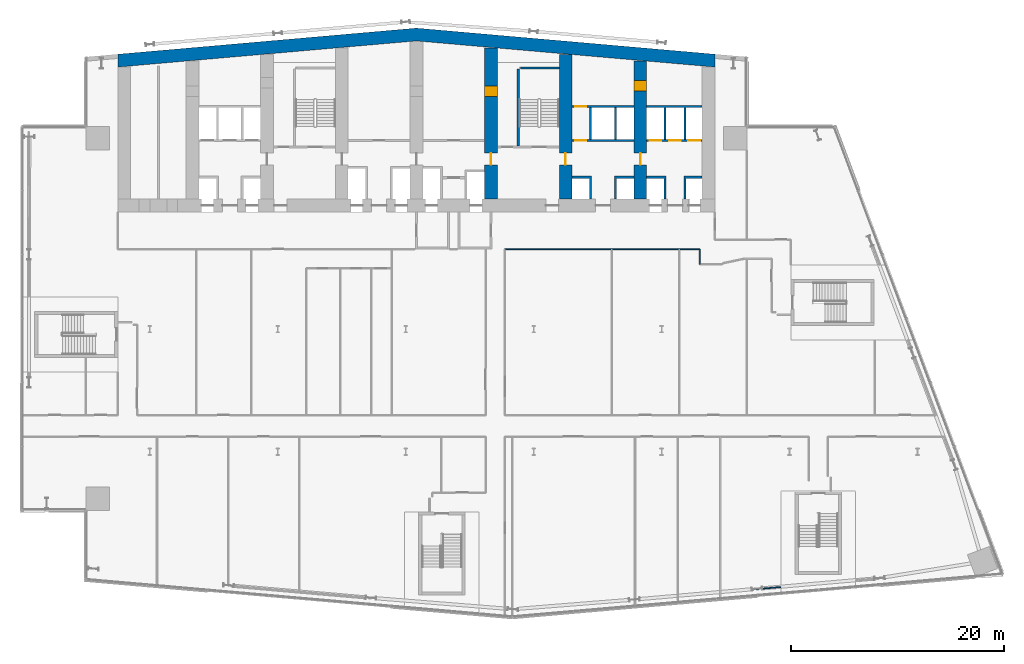
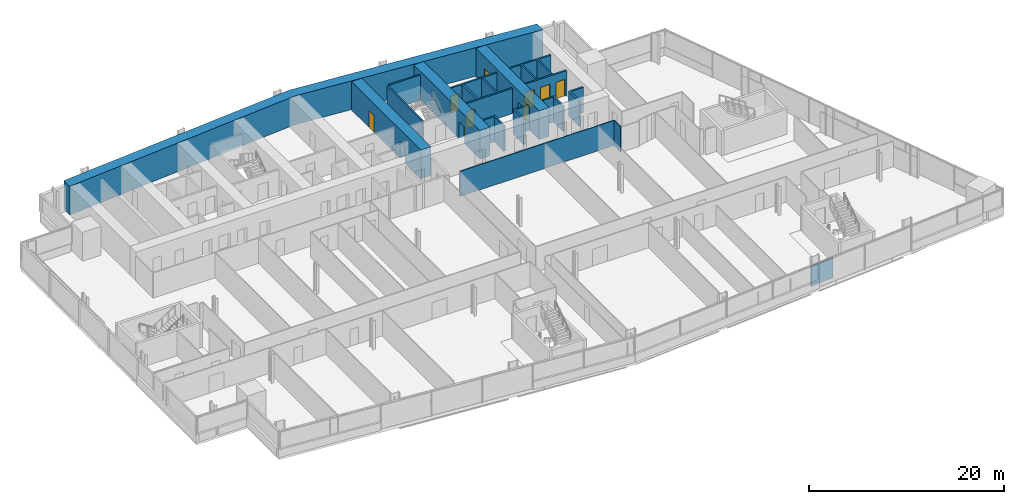
# One storey, part 17 of 24: 19 walls, 10 doors, 10 openings.
"""IFC4 building model written with IfcOpenShell, lengths in metres."""

from ifc_helpers import new_model, si_unit, direction, frame, frame_2d, origin, place, context, subcontext, project, spatial, polyline, rectangle, outline, extrude, material, layer, layer_set, type_object, element, fill, save


model = new_model("IFC4")

# Units and contexts
model_context = context("Model", 3, precision=1e-05, world=origin(), true_north=direction((0.0, 1.0)))
body_context = subcontext(model_context, "Body", "Model", "MODEL_VIEW")
ifc_project = project(units=[si_unit("LENGTHUNIT", "METRE"), si_unit("AREAUNIT", "SQUARE_METRE"), si_unit("VOLUMEUNIT", "CUBIC_METRE"), si_unit("PLANEANGLEUNIT", "RADIAN"), si_unit("MASSUNIT", "GRAM", prefix="KILO")], contexts=[model_context])

# Site, building, storey
site_placement = place(None, origin())
site = spatial("IfcSite", under=ifc_project, at=site_placement, CompositionType="ELEMENT")
building_placement = place(site_placement, origin())
building = spatial("IfcBuilding", under=site, at=building_placement, Name="Wharfspan Tower", CompositionType="ELEMENT")
storey_placement = place(building_placement, frame((0.0, 0.0, 88.300049)))
storey = spatial("IfcBuildingStorey", under=building, at=storey_placement, Name="L19", CompositionType="ELEMENT", Elevation=88.300049)

# Walls
ifc_material_1 = material(Name="Gypsum board on steel studs", Category="steel")
ifc_layer_1 = layer(ifc_material_1, 0.100098)
ifc_layer_set_1 = layer_set([ifc_layer_1], Name="Gypsum board on steel studs")
wall_type_1 = type_object("IfcWallType", Name="Compartment wall 100 EI 60", PredefinedType="PARTITIONING", material=ifc_layer_set_1)
wall_1_placement = place(storey_placement, frame((45.300049, 30.5, 0.0), z_axis=(0.0, 0.0, 1.0), x_axis=(1.0, 0.0, 0.0)))
element("IfcWall", 1, at=wall_1_placement, inside=storey, type_object=wall_type_1, Name="Partition L19.w035", PredefinedType="PARTITIONING", context=body_context, shape_type="SweptSolid", body=[
    extrude(rectangle(XDim=18.274902, YDim=0.100098, at=frame_2d((9.137451, 0.0))), origin(), (0.0, 0.0, 1.0), 3.149902),
])
wall_2_placement = place(storey_placement, frame((63.574951, 29.074951, 0.0), z_axis=(0.0, 0.0, 1.0), x_axis=(0.0, 1.0, 0.0)))
element("IfcWall", 2, at=wall_2_placement, inside=storey, type_object=wall_type_1, Name="Partition L19.w041", PredefinedType="PARTITIONING", context=body_context, shape_type="SweptSolid", body=[
    extrude(rectangle(XDim=1.425049, YDim=0.100098, at=frame_2d((0.712402, 0.0))), origin(), (0.0, 0.0, 1.0), 3.149902),
])
ifc_material_2 = material(Name="Concrete C70/85", Category="concrete")
ifc_layer_2 = layer(ifc_material_2, 1.199951)
ifc_layer_set_2 = layer_set([ifc_layer_2], Name="Concrete C70/85")
wall_type_2 = type_object("IfcWallType", Name="Core wall 1200 C70/85", PredefinedType="SHEAR", material=ifc_layer_set_2)
wall_3_placement = place(storey_placement, frame((0.0, 0.0, -0.000244)))
element("IfcWall", 3, at=wall_3_placement, inside=storey, type_object=wall_type_2, Name="Core rear wall L19", PredefinedType="SHEAR", context=body_context, shape_type="SweptSolid", body=[
    extrude(outline(polyline([(9.0, 47.582764), (37.0, 50.032471), (65.0, 47.582764), (65.0, 48.787354), (37.0, 51.237061), (9.0, 48.787354), (9.0, 47.582764)])), origin(), (0.0, 0.0, 1.0), 3.600098),
])

# Wall, openings, doors
wall_4_placement = place(storey_placement, frame((44.0, 35.199951, 0.0), z_axis=(0.0, 0.0, 1.0), x_axis=(0.0, 1.0, 0.0)))
wall_4 = element("IfcWall", 4, at=wall_4_placement, inside=storey, type_object=wall_type_2, Name="Core cross wall X5 L19", PredefinedType="SHEAR", context=body_context, shape_type="SweptSolid", body=[
    extrude(rectangle(XDim=14.167725, YDim=1.199951, at=frame_2d((7.083984, 0.0))), origin(), (0.0, 0.0, 1.0), 3.599854),
])
opening_1_placement = place(wall_4_placement, frame((3.199951, 0.0, 0.0)))
opening_1 = element("IfcOpeningElement", 5, at=opening_1_placement, cuts=wall_4, Name="Opening CC19.5", PredefinedType="OPENING", context=body_context, shape_type="SweptSolid", body=[
    extrude(rectangle(XDim=1.100098, YDim=2.100098, at=frame_2d((0.550049, 1.050049))), frame((0.0, 0.609863, 0.0), z_axis=(0.0, -1.0, 0.0), x_axis=(1.0, 0.0, 0.0)), (0.0, 0.0, 1.0), 1.219971),
])
opening_2_placement = place(wall_4_placement, frame((9.600098, 0.0, 0.0)))
opening_2 = element("IfcOpeningElement", 6, at=opening_2_placement, cuts=wall_4, Name="Opening CR19.5", PredefinedType="OPENING", context=body_context, shape_type="SweptSolid", body=[
    extrude(rectangle(XDim=1.0, YDim=2.100098, at=frame_2d((0.5, 1.050049))), frame((0.0, 0.609863, 0.0), z_axis=(0.0, -1.0, 0.0), x_axis=(1.0, 0.0, 0.0)), (0.0, 0.0, 1.0), 1.219971),
])
ifc_material_3 = material(Name="Steel door leaf", Category="steel")
door_type_1 = type_object("IfcDoorType", Name="Core corridor door 1100x2100", OperationType="SINGLE_SWING_LEFT", PredefinedType="DOOR", material=ifc_material_3)
door_1_placement = place(opening_1_placement, origin())
door_1 = element("IfcDoor", 7, at=door_1_placement, inside=storey, type_object=door_type_1, Name="xd:L19:5", OperationType="SINGLE_SWING_LEFT", OverallHeight=2.100098, OverallWidth=1.100098, PredefinedType="DOOR", context=body_context, shape_type="SweptSolid", body=[
    extrude(rectangle(XDim=1.100098, YDim=2.100098, at=frame_2d((0.550049, 1.050049))), frame((0.0, 0.024902, 0.0), z_axis=(0.0, -1.0, 0.0), x_axis=(1.0, 0.0, 0.0)), (0.0, 0.0, 1.0), 0.050049),
])
fill(opening_1, door_1)
door_type_2 = type_object("IfcDoorType", Name="Core room door 1000x2100", OperationType="SINGLE_SWING_LEFT", PredefinedType="DOOR", material=ifc_material_3)
door_2_placement = place(opening_2_placement, origin())
door_2 = element("IfcDoor", 8, at=door_2_placement, inside=storey, type_object=door_type_2, Name="xr:L19:5", OperationType="SINGLE_SWING_RIGHT", OverallHeight=2.100098, OverallWidth=1.0, PredefinedType="DOOR", context=body_context, shape_type="SweptSolid", body=[
    extrude(rectangle(XDim=1.0, YDim=2.100098, at=frame_2d((0.5, 1.050049))), frame((0.0, 0.599609, 0.0), z_axis=(0.0, -1.0, 0.0), x_axis=(1.0, 0.0, 0.0)), (0.0, 0.0, 1.0), 1.199463),
])
fill(opening_2, door_2)

# Wall, opening, door
wall_5_placement = place(storey_placement, frame((51.0, 35.199951, 0.0), z_axis=(0.0, 0.0, 1.0), x_axis=(0.0, 1.0, 0.0)))
wall_5 = element("IfcWall", 9, at=wall_5_placement, inside=storey, type_object=wall_type_2, Name="Core cross wall X6 L19", PredefinedType="SHEAR", context=body_context, shape_type="SweptSolid", body=[
    extrude(rectangle(XDim=13.555176, YDim=1.199951, at=frame_2d((6.777588, 0.0))), origin(), (0.0, 0.0, 1.0), 3.599854),
])
opening_3_placement = place(wall_5_placement, frame((3.199951, 0.0, 0.0)))
opening_3 = element("IfcOpeningElement", 10, at=opening_3_placement, cuts=wall_5, Name="Opening CC19.6", PredefinedType="OPENING", context=body_context, shape_type="SweptSolid", body=[
    extrude(rectangle(XDim=1.100098, YDim=2.100098, at=frame_2d((0.550049, 1.050049))), frame((0.0, 0.609863, 0.0), z_axis=(0.0, -1.0, 0.0), x_axis=(1.0, 0.0, 0.0)), (0.0, 0.0, 1.0), 1.219971),
])
door_3_placement = place(opening_3_placement, origin())
door_3 = element("IfcDoor", 11, at=door_3_placement, inside=storey, type_object=door_type_1, Name="xd:L19:6", OperationType="SINGLE_SWING_RIGHT", OverallHeight=2.100098, OverallWidth=1.100098, PredefinedType="DOOR", context=body_context, shape_type="SweptSolid", body=[
    extrude(rectangle(XDim=1.100098, YDim=2.100098, at=frame_2d((0.550049, 1.050049))), frame((0.0, 0.024902, 0.0), z_axis=(0.0, -1.0, 0.0), x_axis=(1.0, 0.0, 0.0)), (0.0, 0.0, 1.0), 0.050049),
])
fill(opening_3, door_3)

# Wall, openings, doors
wall_6_placement = place(storey_placement, frame((58.0, 35.199951, 0.0), z_axis=(0.0, 0.0, 1.0), x_axis=(0.0, 1.0, 0.0)))
wall_6 = element("IfcWall", 12, at=wall_6_placement, inside=storey, type_object=wall_type_2, Name="Core cross wall X7 L19", PredefinedType="SHEAR", context=body_context, shape_type="SweptSolid", body=[
    extrude(rectangle(XDim=12.942871, YDim=1.199951, at=frame_2d((6.471436, 0.0))), origin(), (0.0, 0.0, 1.0), 3.599854),
])
opening_4_placement = place(wall_6_placement, frame((10.133789, 0.0, 0.0)))
opening_4 = element("IfcOpeningElement", 13, at=opening_4_placement, cuts=wall_6, Name="Opening CD19.7X", PredefinedType="OPENING", context=body_context, shape_type="SweptSolid", body=[
    extrude(rectangle(XDim=1.0, YDim=2.100098, at=frame_2d((0.5, 1.050049))), frame((0.0, 0.609863, 0.0), z_axis=(0.0, -1.0, 0.0), x_axis=(1.0, 0.0, 0.0)), (0.0, 0.0, 1.0), 1.219971),
])
opening_5_placement = place(wall_6_placement, frame((3.199951, 0.0, 0.0)))
opening_5 = element("IfcOpeningElement", 14, at=opening_5_placement, cuts=wall_6, Name="Opening CC19.7", PredefinedType="OPENING", context=body_context, shape_type="SweptSolid", body=[
    extrude(rectangle(XDim=1.100098, YDim=2.100098, at=frame_2d((0.550049, 1.050049))), frame((0.0, 0.609863, 0.0), z_axis=(0.0, -1.0, 0.0), x_axis=(1.0, 0.0, 0.0)), (0.0, 0.0, 1.0), 1.219971),
])
door_4_placement = place(opening_5_placement, origin())
door_4 = element("IfcDoor", 15, at=door_4_placement, inside=storey, type_object=door_type_1, Name="xd:L19:7", OperationType="SINGLE_SWING_LEFT", OverallHeight=2.100098, OverallWidth=1.100098, PredefinedType="DOOR", context=body_context, shape_type="SweptSolid", body=[
    extrude(rectangle(XDim=1.100098, YDim=2.100098, at=frame_2d((0.550049, 1.050049))), frame((0.0, 0.024902, 0.0), z_axis=(0.0, -1.0, 0.0), x_axis=(1.0, 0.0, 0.0)), (0.0, 0.0, 1.0), 0.050049),
])
fill(opening_5, door_4)
door_5_placement = place(opening_4_placement, origin())
door_5 = element("IfcDoor", 16, at=door_5_placement, inside=storey, type_object=door_type_2, Name="d:L19:7:sx", OperationType="SINGLE_SWING_LEFT", OverallHeight=2.100098, OverallWidth=1.0, PredefinedType="DOOR", context=body_context, shape_type="SweptSolid", body=[
    extrude(rectangle(XDim=1.0, YDim=2.100098, at=frame_2d((0.5, 1.050049))), frame((0.0, 0.599609, 0.0), z_axis=(0.0, -1.0, 0.0), x_axis=(1.0, 0.0, 0.0)), (0.0, 0.0, 1.0), 1.199463),
])
fill(opening_4, door_5)

# Wall, opening, door
ifc_material_4 = material(Name="Concrete C30/37", Category="concrete")
ifc_layer_3 = layer(ifc_material_4, 0.199951)
ifc_layer_set_3 = layer_set([ifc_layer_3], Name="Concrete C30/37")
wall_type_3 = type_object("IfcWallType", Name="Lift shaft wall 200", PredefinedType="PARTITIONING", material=ifc_layer_set_3)
wall_7_placement = place(storey_placement, frame((51.600098, 40.699951, 0.0), z_axis=(0.0, 0.0, 1.0), x_axis=(1.0, 0.0, 0.0)))
wall_7 = element("IfcWall", 17, at=wall_7_placement, inside=storey, type_object=wall_type_3, Name="sw:L19:RF6", PredefinedType="PARTITIONING", context=body_context, shape_type="SweptSolid", body=[
    extrude(rectangle(XDim=5.799805, YDim=0.199951, at=frame_2d((2.899902, 0.0))), origin(), (0.0, 0.0, 1.0), 3.149902),
])
opening_6_placement = place(wall_7_placement, frame((0.31665, 0.0, 0.0)))
opening_6 = element("IfcOpeningElement", 18, at=opening_6_placement, cuts=wall_7, Name="Opening CD19.6R1", PredefinedType="OPENING", context=body_context, shape_type="SweptSolid", body=[
    extrude(rectangle(XDim=1.0, YDim=2.100098, at=frame_2d((0.5, 1.050049))), frame((0.0, 0.109863, 0.0), z_axis=(0.0, -1.0, 0.0), x_axis=(1.0, 0.0, 0.0)), (0.0, 0.0, 1.0), 0.219971),
])
door_6_placement = place(opening_6_placement, origin())
door_6 = element("IfcDoor", 19, at=door_6_placement, inside=storey, type_object=door_type_2, Name="d:L19:6:rd6.1", OperationType="SINGLE_SWING_RIGHT", OverallHeight=2.100098, OverallWidth=1.0, PredefinedType="DOOR", context=body_context, shape_type="SweptSolid", body=[
    extrude(rectangle(XDim=1.0, YDim=2.100098, at=frame_2d((0.5, 1.050049))), frame((0.0, 0.024902, 0.0), z_axis=(0.0, -1.0, 0.0), x_axis=(1.0, 0.0, 0.0)), (0.0, 0.0, 1.0), 0.050049),
])
fill(opening_6, door_6)

wall_8_placement = place(storey_placement, frame((51.600098, 43.899902, 0.0), z_axis=(0.0, 0.0, 1.0), x_axis=(1.0, 0.0, 0.0)))
wall_8 = element("IfcWall", 20, at=wall_8_placement, inside=storey, type_object=wall_type_3, Name="sw:L19:RR6", PredefinedType="PARTITIONING", context=body_context, shape_type="SweptSolid", body=[
    extrude(rectangle(XDim=5.799805, YDim=0.199951, at=frame_2d((2.899902, 0.0))), origin(), (0.0, 0.0, 1.0), 3.149902),
])
opening_7_placement = place(wall_8_placement, frame((0.31665, 0.0, 0.0)))
opening_7 = element("IfcOpeningElement", 21, at=opening_7_placement, cuts=wall_8, Name="Opening CD19.6S1", PredefinedType="OPENING", context=body_context, shape_type="SweptSolid", body=[
    extrude(rectangle(XDim=1.0, YDim=2.100098, at=frame_2d((0.5, 1.050049))), frame((0.0, 0.109863, 0.0), z_axis=(0.0, -1.0, 0.0), x_axis=(1.0, 0.0, 0.0)), (0.0, 0.0, 1.0), 0.219971),
])
door_7_placement = place(opening_7_placement, origin())
door_7 = element("IfcDoor", 22, at=door_7_placement, inside=storey, type_object=door_type_2, Name="d:L19:6:rs6.1", OperationType="SINGLE_SWING_LEFT", OverallHeight=2.100098, OverallWidth=1.0, PredefinedType="DOOR", context=body_context, shape_type="SweptSolid", body=[
    extrude(rectangle(XDim=1.0, YDim=2.100098, at=frame_2d((0.5, 1.050049))), frame((0.0, 0.024902, 0.0), z_axis=(0.0, -1.0, 0.0), x_axis=(1.0, 0.0, 0.0)), (0.0, 0.0, 1.0), 0.050049),
])
fill(opening_7, door_7)

# Walls
wall_9_placement = place(storey_placement, frame((0.0, 0.0, -0.000244)))
element("IfcWall", 23, at=wall_9_placement, inside=storey, type_object=wall_type_3, Name="sw:L19:FM6.0", PredefinedType="PARTITIONING", context=body_context, shape_type="SweptSolid", body=[
    extrude(outline(polyline([(53.233398, 37.149902), (51.600098, 37.149902), (51.600098, 37.350098), (53.233398, 37.350098), (53.43335, 37.350098), (53.43335, 35.199951), (53.233398, 35.199951), (53.233398, 37.149902)])), origin(), (0.0, 0.0, 1.0), 3.150146),
])
wall_10_placement = place(storey_placement, frame((0.0, 0.0, -0.000244)))
element("IfcWall", 24, at=wall_10_placement, inside=storey, type_object=wall_type_3, Name="sw:L19:FM6.1", PredefinedType="PARTITIONING", context=body_context, shape_type="SweptSolid", body=[
    extrude(outline(polyline([(55.56665, 37.350098), (55.766602, 37.350098), (57.399902, 37.350098), (57.399902, 37.149902), (55.766602, 37.149902), (55.766602, 35.199951), (55.56665, 35.199951), (55.56665, 37.350098)])), origin(), (0.0, 0.0, 1.0), 3.150146),
])
wall_11_placement = place(storey_placement, frame((0.0, 0.0, -0.000244)))
element("IfcWall", 25, at=wall_11_placement, inside=storey, type_object=wall_type_3, Name="sw:L19:RM6.0", PredefinedType="PARTITIONING", context=body_context, shape_type="SweptSolid", body=[
    extrude(outline(polyline([(53.233398, 40.800049), (53.233398, 43.800049), (53.43335, 43.800049), (53.43335, 40.800049), (53.233398, 40.800049)])), origin(), (0.0, 0.0, 1.0), 3.150146),
])
wall_12_placement = place(storey_placement, frame((0.0, 0.0, -0.000244)))
element("IfcWall", 26, at=wall_12_placement, inside=storey, type_object=wall_type_3, Name="sw:L19:RM6.1", PredefinedType="PARTITIONING", context=body_context, shape_type="SweptSolid", body=[
    extrude(outline(polyline([(55.56665, 40.800049), (55.56665, 43.800049), (55.766602, 43.800049), (55.766602, 40.800049), (55.56665, 40.800049)])), origin(), (0.0, 0.0, 1.0), 3.150146),
])

# Wall, openings, doors
wall_13_placement = place(storey_placement, frame((58.600098, 40.699951, 0.0), z_axis=(0.0, 0.0, 1.0), x_axis=(1.0, 0.0, 0.0)))
wall_13 = element("IfcWall", 27, at=wall_13_placement, inside=storey, type_object=wall_type_3, Name="sw:L19:RF7", PredefinedType="PARTITIONING", context=body_context, shape_type="SweptSolid", body=[
    extrude(rectangle(XDim=5.199951, YDim=0.199951, at=frame_2d((2.600098, 0.0))), origin(), (0.0, 0.0, 1.0), 3.149902),
])
opening_8_placement = place(wall_13_placement, frame((0.266602, 0.0, 0.0)))
opening_8 = element("IfcOpeningElement", 28, at=opening_8_placement, cuts=wall_13, Name="Opening LD.LA8.L19", PredefinedType="OPENING", context=body_context, shape_type="SweptSolid", body=[
    extrude(rectangle(XDim=1.100098, YDim=2.100098, at=frame_2d((0.550049, 1.050049))), frame((0.0, 0.109863, 0.0), z_axis=(0.0, -1.0, 0.0), x_axis=(1.0, 0.0, 0.0)), (0.0, 0.0, 1.0), 0.219971),
])
opening_9_placement = place(wall_13_placement, frame((2.116699, 0.0, 0.0)))
opening_9 = element("IfcOpeningElement", 29, at=opening_9_placement, cuts=wall_13, Name="Opening LD.LA9.L19", PredefinedType="OPENING", context=body_context, shape_type="SweptSolid", body=[
    extrude(rectangle(XDim=1.100098, YDim=2.100098, at=frame_2d((0.550049, 1.050049))), frame((0.0, 0.109863, 0.0), z_axis=(0.0, -1.0, 0.0), x_axis=(1.0, 0.0, 0.0)), (0.0, 0.0, 1.0), 0.219971),
])
opening_10_placement = place(wall_13_placement, frame((3.899902, 0.0, 0.0)))
opening_10 = element("IfcOpeningElement", 30, at=opening_10_placement, cuts=wall_13, Name="Opening LD.LA10.L19", PredefinedType="OPENING", context=body_context, shape_type="SweptSolid", body=[
    extrude(rectangle(XDim=1.100098, YDim=2.100098, at=frame_2d((0.550049, 1.050049))), frame((0.0, 0.109863, 0.0), z_axis=(0.0, -1.0, 0.0), x_axis=(1.0, 0.0, 0.0)), (0.0, 0.0, 1.0), 0.219971),
])
ifc_material_5 = material(Name="Stainless steel", Category="steel")
door_type_3 = type_object("IfcDoorType", Name="Lift landing door 1100x2100", OperationType="DOUBLE_DOOR_SLIDING", PredefinedType="DOOR", material=ifc_material_5)
door_8_placement = place(opening_8_placement, origin())
door_8 = element("IfcDoor", 31, at=door_8_placement, inside=storey, type_object=door_type_3, Name="Landing door LA8 L19", OperationType="DOUBLE_DOOR_SLIDING", OverallHeight=2.100098, OverallWidth=1.100098, PredefinedType="DOOR", context=body_context, shape_type="SweptSolid", body=[
    extrude(rectangle(XDim=1.100098, YDim=2.100098, at=frame_2d((0.550049, 1.050049))), frame((0.0, 0.024902, 0.0), z_axis=(0.0, -1.0, 0.0), x_axis=(1.0, 0.0, 0.0)), (0.0, 0.0, 1.0), 0.050049),
])
fill(opening_8, door_8)
door_9_placement = place(opening_9_placement, origin())
door_9 = element("IfcDoor", 32, at=door_9_placement, inside=storey, type_object=door_type_3, Name="Landing door LA9 L19", OperationType="DOUBLE_DOOR_SLIDING", OverallHeight=2.100098, OverallWidth=1.100098, PredefinedType="DOOR", context=body_context, shape_type="SweptSolid", body=[
    extrude(rectangle(XDim=1.100098, YDim=2.100098, at=frame_2d((0.550049, 1.050049))), frame((0.0, 0.024902, 0.0), z_axis=(0.0, -1.0, 0.0), x_axis=(1.0, 0.0, 0.0)), (0.0, 0.0, 1.0), 0.050049),
])
fill(opening_9, door_9)
door_10_placement = place(opening_10_placement, origin())
door_10 = element("IfcDoor", 33, at=door_10_placement, inside=storey, type_object=door_type_3, Name="Landing door LA10 L19", OperationType="DOUBLE_DOOR_SLIDING", OverallHeight=2.100098, OverallWidth=1.100098, PredefinedType="DOOR", context=body_context, shape_type="SweptSolid", body=[
    extrude(rectangle(XDim=1.100098, YDim=2.100098, at=frame_2d((0.550049, 1.050049))), frame((0.0, 0.024902, 0.0), z_axis=(0.0, -1.0, 0.0), x_axis=(1.0, 0.0, 0.0)), (0.0, 0.0, 1.0), 0.050049),
])
fill(opening_10, door_10)

# Walls
wall_14_placement = place(storey_placement, frame((0.0, 0.0, -0.000244)))
element("IfcWall", 34, at=wall_14_placement, inside=storey, type_object=wall_type_3, Name="sw:L19:FM7.0", PredefinedType="PARTITIONING", context=body_context, shape_type="SweptSolid", body=[
    extrude(outline(polyline([(60.233398, 37.149902), (58.600098, 37.149902), (58.600098, 37.350098), (60.233398, 37.350098), (60.43335, 37.350098), (60.43335, 35.199951), (60.233398, 35.199951), (60.233398, 37.149902)])), origin(), (0.0, 0.0, 1.0), 3.150146),
])
wall_15_placement = place(storey_placement, frame((0.0, 0.0, -0.000244)))
element("IfcWall", 35, at=wall_15_placement, inside=storey, type_object=wall_type_3, Name="sw:L19:FM7.1", PredefinedType="PARTITIONING", context=body_context, shape_type="SweptSolid", body=[
    extrude(outline(polyline([(62.100098, 37.350098), (62.300049, 37.350098), (63.800049, 37.350098), (63.800049, 37.149902), (62.300049, 37.149902), (62.300049, 35.199951), (62.100098, 35.199951), (62.100098, 37.350098)])), origin(), (0.0, 0.0, 1.0), 3.150146),
])
wall_16_placement = place(storey_placement, frame((0.0, 0.0, -0.000244)))
element("IfcWall", 36, at=wall_16_placement, inside=storey, type_object=wall_type_3, Name="sw:L19:RM7.0", PredefinedType="PARTITIONING", context=body_context, shape_type="SweptSolid", body=[
    extrude(outline(polyline([(60.43335, 40.800049), (60.233398, 40.800049), (60.233398, 43.800049), (58.600098, 43.800049), (58.600098, 44.0), (63.800049, 44.0), (63.800049, 43.800049), (62.300049, 43.800049), (62.300049, 40.800049), (62.100098, 40.800049), (62.100098, 43.800049), (60.43335, 43.800049), (60.43335, 40.800049)])), origin(), (0.0, 0.0, 1.0), 3.150146),
])
ifc_layer_4 = layer(ifc_material_1, 0.100098)
ifc_layer_set_4 = layer_set([ifc_layer_4], Name="Gypsum board on steel studs")
wall_type_4 = type_object("IfcWallType", Name="Partition 100", PredefinedType="PARTITIONING", material=ifc_layer_set_4)
wall_17_placement = place(storey_placement, frame((68.445068, -1.429932, 0.0), z_axis=(0.0, 0.0, 1.0), x_axis=(0.996195, 0.087118, 0.0)))
element("IfcWall", 37, at=wall_17_placement, inside=storey, type_object=wall_type_4, Name="Partition L19.w053", PredefinedType="PARTITIONING", context=body_context, shape_type="SweptSolid", body=[
    extrude(rectangle(XDim=2.738037, YDim=0.100098, at=frame_2d((1.369141, 0.0))), origin(), (0.0, 0.0, 1.0), 2.530029),
])
ifc_material_6 = material(Name="Concrete C40/50", Category="concrete")
ifc_layer_5 = layer(ifc_material_6, 0.199951)
ifc_layer_set_5 = layer_set([ifc_layer_5], Name="Concrete C40/50")
wall_type_5 = type_object("IfcWallType", Name="Stair shaft wall 200", PredefinedType="SHEAR", material=ifc_layer_set_5)
wall_18_placement = place(storey_placement, frame((46.550049, 40.199951, 0.0), z_axis=(0.0, 0.0, 1.0), x_axis=(0.0, 1.0, 0.0)))
element("IfcWall", 38, at=wall_18_placement, inside=storey, type_object=wall_type_5, Name="ST2 stair enclosure wall L19", PredefinedType="SHEAR", context=body_context, shape_type="SweptSolid", body=[
    extrude(rectangle(XDim=7.199951, YDim=0.199951, at=frame_2d((3.600098, 0.0))), origin(), (0.0, 0.0, 1.0), 3.149902),
])
wall_19_placement = place(storey_placement, frame((46.75, 47.5, 0.0), z_axis=(0.0, 0.0, 1.0), x_axis=(1.0, 0.0, 0.0)))
element("IfcWall", 39, at=wall_19_placement, inside=storey, type_object=wall_type_5, Name="ST2 stair enclosure wall L19", PredefinedType="SHEAR", context=body_context, shape_type="SweptSolid", body=[
    extrude(rectangle(XDim=3.649902, YDim=0.199951, at=frame_2d((1.824951, 0.0))), origin(), (0.0, 0.0, 1.0), 3.149902),
])

save(model, "model.ifc")
